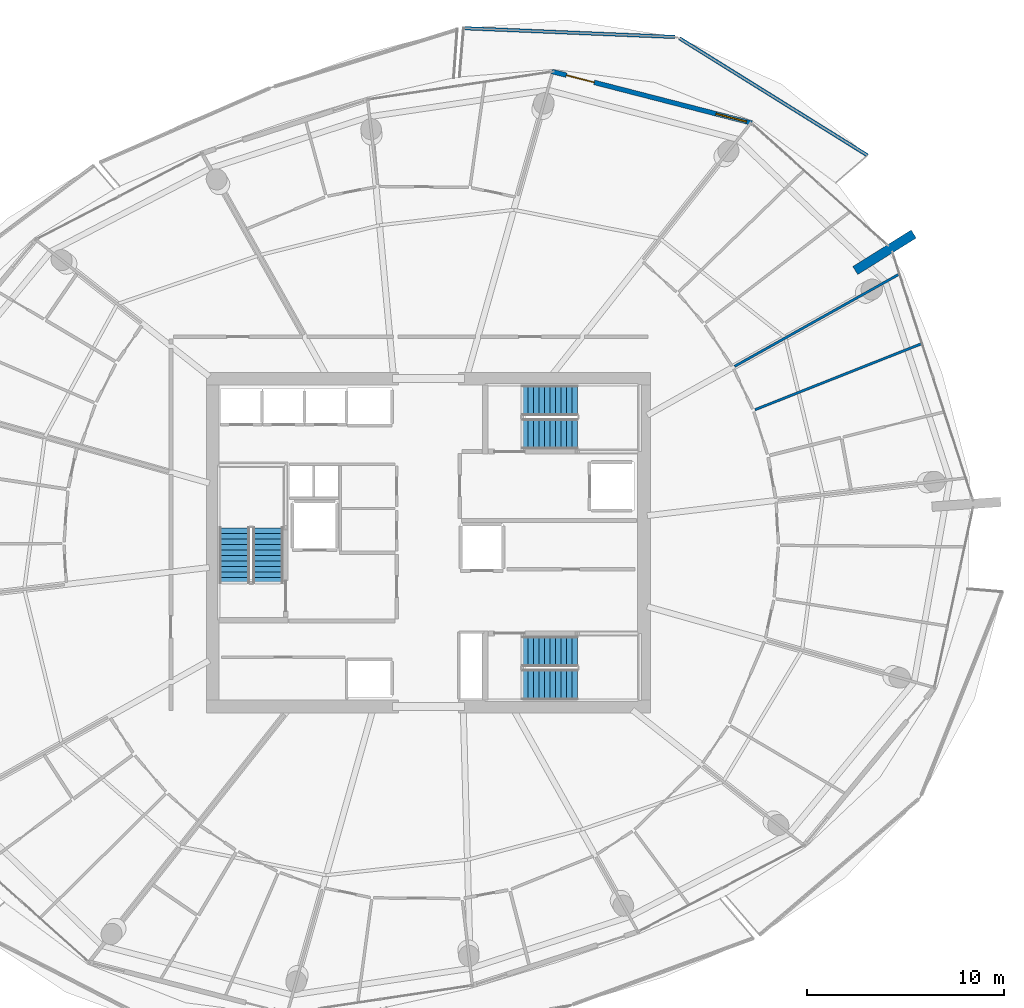
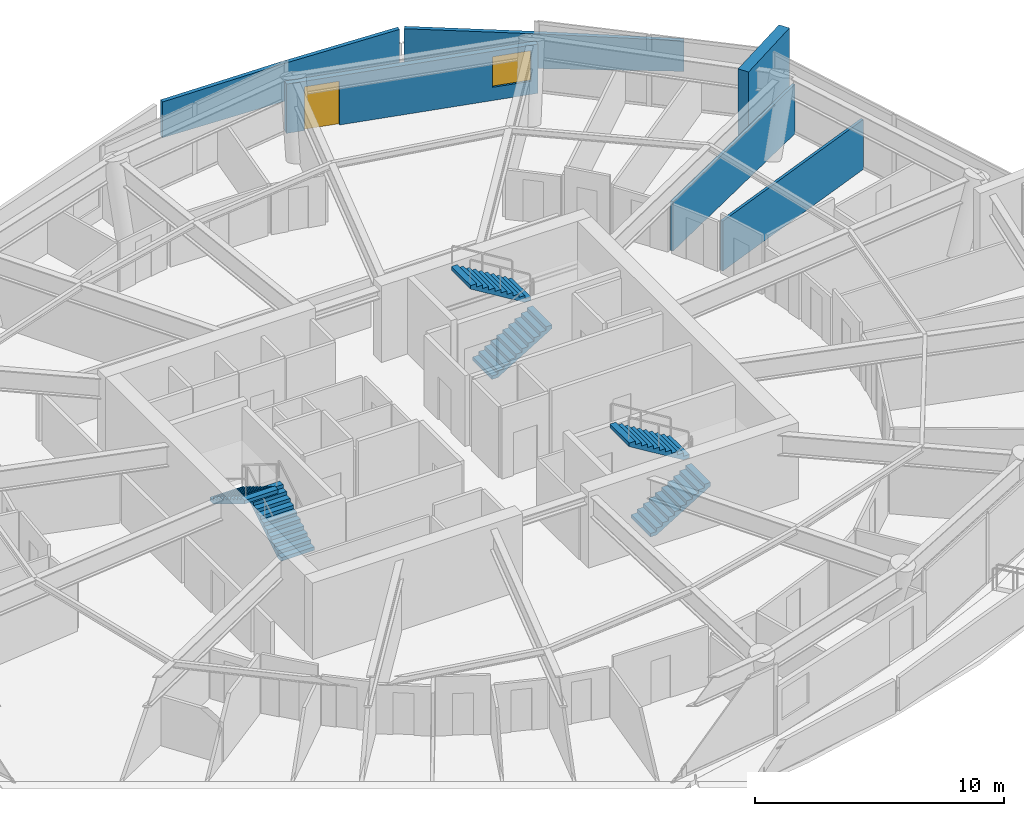
# One storey, part 15 of 20: 6 stair flights, 6 walls, 1 door, 1 window, 2 openings, 3 elements without a shape of their own.
"""IFC4 building model written with IfcOpenShell, lengths in metres."""

from ifc_helpers import new_model, si_unit, direction, frame, frame_2d, origin, place, context, subcontext, project, spatial, polyline, rectangle, outline, extrude, material, layer, layer_set, type_object, element, fill, aggregate, save


model = new_model("IFC4")

# Units and contexts
model_context = context("Model", 3, precision=1e-05, world=origin(), true_north=direction((0.0, 1.0)))
body_context = subcontext(model_context, "Body", "Model", "MODEL_VIEW")
ifc_project = project(units=[si_unit("LENGTHUNIT", "METRE"), si_unit("AREAUNIT", "SQUARE_METRE"), si_unit("VOLUMEUNIT", "CUBIC_METRE"), si_unit("PLANEANGLEUNIT", "RADIAN"), si_unit("MASSUNIT", "GRAM", prefix="KILO")], contexts=[model_context])

# Site, building, storey
site_placement = place(None, origin())
site = spatial("IfcSite", under=ifc_project, at=site_placement, CompositionType="ELEMENT")
building_placement = place(site_placement, origin())
building = spatial("IfcBuilding", under=site, at=building_placement, Name="Kazma Halo Residences", CompositionType="ELEMENT")
storey_placement = place(building_placement, frame((0.0, 0.0, 221.550048828125)))
storey = spatial("IfcBuildingStorey", under=building, at=storey_placement, Name="L56", CompositionType="ELEMENT", Elevation=221.550048828125)

# Walls
ifc_material_1 = material(Name="White Concrete C50/60 Balustrade", Category="concrete")
ifc_layer_1 = layer(ifc_material_1, 0.179931640625)
ifc_layer_set_1 = layer_set([ifc_layer_1], Name="White Concrete C50/60 Balustrade")
wall_type_1 = type_object("IfcWallType", Name="WL-BAL-WAVE-180", PredefinedType="PARAPET", material=ifc_layer_set_1)
wall_1_placement = place(storey_placement, frame((70.740234375, 61.66357421875, 0.0), z_axis=(0.0, 0.0, 1.0), x_axis=(-0.84875531388, 0.528785795158, 0.0)))
element("IfcWall", 1, at=wall_1_placement, inside=storey, type_object=wall_type_1, Name="L56 white wave balustrade wall NE.1", PredefinedType="PARAPET", context=body_context, shape_type="SweptSolid", body=[
    extrude(outline(polyline([(0.0, 0.0), (11.2568359375, 0.0), (11.256591796875, 1.83203125), (5.62841796875, 1.696044921875), (0.0, 1.4970703125), (0.0, 0.0)])), frame((0.0, 0.08984375, 0.0), z_axis=(0.0, -1.0, 0.0), x_axis=(1.0, 0.0, 0.0)), (0.0, 0.0, 1.0), 0.179931640625),
])
wall_2_placement = place(storey_placement, frame((60.96435546875, 67.684326171875, 0.0), z_axis=(0.0, 0.0, 1.0), x_axis=(-0.999138885182, 0.041490819675, 0.0)))
element("IfcWall", 2, at=wall_2_placement, inside=storey, type_object=wall_type_1, Name="L56 white wave balustrade wall NE.2", PredefinedType="PARAPET", context=body_context, shape_type="SweptSolid", body=[
    extrude(outline(polyline([(0.0, 0.0), (10.75634765625, 0.0), (10.756591796875, 1.755859375), (5.37841796875, 1.85302734375), (0.0, 1.83203125), (0.0, 0.0)])), frame((0.0, 0.08984375, 0.0), z_axis=(0.0, -1.0, 0.0), x_axis=(1.0, 0.0, 0.0)), (0.0, 0.0, 1.0), 0.179931640625),
])
ifc_material_2 = material(Name="Pale Concrete C60/75", Category="concrete")
ifc_layer_2 = layer(ifc_material_2, 0.47998046875)
ifc_layer_set_2 = layer_set([ifc_layer_2], Name="Pale Concrete C60/75")
wall_type_2 = type_object("IfcWallType", Name="WL-BLADE-480", PredefinedType="SOLIDWALL", material=ifc_layer_set_2)
wall_3_placement = place(storey_placement, frame((70.11376953125, 55.818115234375, 0.0), z_axis=(0.0, 0.0, 1.0), x_axis=(0.848033572426, 0.529942506352, 0.0)))
element("IfcWall", 3, at=wall_3_placement, inside=storey, type_object=wall_type_2, Name="L56 pale concrete structural blade fin wall BW-01", PredefinedType="SOLIDWALL", context=body_context, shape_type="SweptSolid", body=[
    extrude(rectangle(XDim=3.5, YDim=0.47998046875, at=frame_2d((1.75, 0.0))), origin(), (0.0, 0.0, 1.0), 3.75),
])

# Wall, openings, door, window
ifc_material_3 = material(Name="Insulated Pale-Metal Composite Wall")
ifc_layer_3 = layer(ifc_material_3, 0.239990234375)
ifc_layer_set_3 = layer_set([ifc_layer_3], Name="Insulated Pale-Metal Composite Wall")
wall_type_3 = type_object("IfcWallType", Name="WL-EXT-HOST-240", PredefinedType="SOLIDWALL", material=ifc_layer_set_3)
wall_4_placement = place(storey_placement, frame((64.860107421875, 63.31298828125, 0.0), z_axis=(0.0, 0.0, 1.0), x_axis=(-0.968374028006, 0.249502989727, 0.0)))
wall_4 = element("IfcWall", 4, at=wall_4_placement, inside=storey, type_object=wall_type_3, Name="L56 exterior terrace-access wall B02", PredefinedType="SOLIDWALL", context=body_context, shape_type="SweptSolid", body=[
    extrude(rectangle(XDim=10.494384765625, YDim=0.239990234375, at=frame_2d((5.2470703125, 0.0))), origin(), (0.0, 0.0, 1.0), 2.419921875),
])
opening_1_placement = place(wall_4_placement, frame((8.2744140625, 0.0, 0.0)))
opening_1 = element("IfcOpeningElement", 5, at=opening_1_placement, cuts=wall_4, Name="Opening DTR-1600", PredefinedType="OPENING", context=body_context, shape_type="SweptSolid", body=[
    extrude(rectangle(XDim=1.449951171875, YDim=2.14990234375, at=frame_2d((0.72509765625, 1.074951171875))), frame((0.0, 0.1298828125, 0.0), z_axis=(0.0, -1.0, 0.0), x_axis=(1.0, 0.0, 0.0)), (0.0, 0.0, 1.0), 0.260009765625),
])
opening_2_placement = place(wall_4_placement, frame((0.280029296875, 0.0, 0.64990234375)))
opening_2 = element("IfcOpeningElement", 6, at=opening_2_placement, cuts=wall_4, Name="Opening W-1800", PredefinedType="OPENING", context=body_context, shape_type="SweptSolid", body=[
    extrude(rectangle(XDim=1.60009765625, YDim=1.5, at=frame_2d((0.800048828125, 0.75))), frame((0.0, 0.1298828125, 0.0), z_axis=(0.0, -1.0, 0.0), x_axis=(1.0, 0.0, 0.0)), (0.0, 0.0, 1.0), 0.260009765625),
])
ifc_material_4 = material(Name="Aluminium AW-6063 T6 Double-Glazed Terrace Door", Category="aluminium")
door_type = type_object("IfcDoorType", Name="DR-EXT-TERR-1600", OperationType="NOTDEFINED", PredefinedType="DOOR", material=ifc_material_4)
door_placement = place(opening_1_placement, origin())
door = element("IfcDoor", 7, at=door_placement, inside=storey, type_object=door_type, Name="L56 B02 balcony terrace door", OperationType="DOUBLE_DOOR_SLIDING", OverallHeight=2.14990234375, OverallWidth=1.449951171875, PredefinedType="DOOR", context=body_context, shape_type="SweptSolid", body=[
    extrude(rectangle(XDim=1.449951171875, YDim=2.14990234375, at=frame_2d((0.72509765625, 1.074951171875))), frame((0.0, 0.02490234375, 0.0), z_axis=(0.0, -1.0, 0.0), x_axis=(1.0, 0.0, 0.0)), (0.0, 0.0, 1.0), 0.050048828125),
])
fill(opening_1, door)
ifc_material_5 = material(Name="Clear Triple-Silver Low-E Glass in Aluminium AW-6063 T6 Frame", Category="aluminium")
window_type = type_object("IfcWindowType", Name="WIN-RES-1800", PartitioningType="DOUBLE_PANEL_VERTICAL", PredefinedType="WINDOW", material=ifc_material_5)
window_placement = place(opening_2_placement, origin())
window = element("IfcWindow", 8, at=window_placement, inside=storey, type_object=window_type, Name="L56 B02 apartment window", OverallHeight=1.5, OverallWidth=1.60009765625, PartitioningType="SINGLE_PANEL", PredefinedType="WINDOW", context=body_context, shape_type="SweptSolid", body=[
    extrude(rectangle(XDim=1.60009765625, YDim=1.5, at=frame_2d((0.800048828125, 0.75))), frame((0.0, 0.030029296875, 0.0), z_axis=(0.0, -1.0, 0.0), x_axis=(1.0, 0.0, 0.0)), (0.0, 0.0, 1.0), 0.06005859375),
])
fill(opening_2, window)

# Walls
ifc_material_6 = material(Name="Gypsum Plasterboard Partition")
ifc_layer_4 = layer(ifc_material_6, 0.125)
ifc_layer_set_4 = layer_set([ifc_layer_4], Name="Gypsum Plasterboard Partition")
wall_type_4 = type_object("IfcWallType", Name="WL-PART-125", PredefinedType="PARTITIONING", material=ifc_layer_set_4)
wall_5_placement = place(storey_placement, frame((65.018798828125, 48.74609375, 0.0), z_axis=(0.0, 0.0, 1.0), x_axis=(0.929640612561, 0.368467544672, 0.0)))
element("IfcWall", 9, at=wall_5_placement, inside=storey, type_object=wall_type_4, Name="L56 Apartment 3 suite divider 15", PredefinedType="PARTITIONING", context=body_context, shape_type="SweptSolid", body=[
    extrude(rectangle(XDim=9.1064453125, YDim=0.125, at=frame_2d((4.55322265625, 0.0))), origin(), (0.0, 0.0, 1.0), 2.445068359375),
])
wall_6_placement = place(storey_placement, frame((63.9814453125, 50.9501953125, 0.0), z_axis=(0.0, 0.0, 1.0), x_axis=(0.872503842663, 0.488607249781, 0.0)))
element("IfcWall", 10, at=wall_6_placement, inside=storey, type_object=wall_type_4, Name="L56 Apartment 3 radial partition 0", PredefinedType="PARTITIONING", context=body_context, shape_type="SweptSolid", body=[
    extrude(rectangle(XDim=9.578125, YDim=0.125, at=frame_2d((4.7890625, 0.0))), origin(), (0.0, 0.0, 1.0), 2.427001953125),
])

# Stair, stair flights
ifc_material_7 = material(Name="Concrete C50/60", Category="concrete")
stair_type = type_object("IfcStairType", Name="STR-RES1", PredefinedType="HALF_TURN_STAIR", material=ifc_material_7)
stair_1_placement = place(storey_placement, origin())
stair_1 = element("IfcStair", 11, at=stair_1_placement, inside=storey, type_object=stair_type, Name="L56 Core exit stair ST-01", PredefinedType="HALF_TURN_STAIR")
stair_flight_type = type_object("IfcStairFlightType", Name="STR-RES1-FLT", PredefinedType="STRAIGHT", material=ifc_material_7)
stair_flight_1_placement = place(storey_placement, frame((40.27490234375, 39.949951171875, 0.0), z_axis=(0.0, 0.0, 1.0), x_axis=(0.0, 1.0, 0.0)))
stair_flight_1 = element("IfcStairFlight", 12, at=stair_flight_1_placement, type_object=stair_flight_type, Name="ST-01 flight 1", NumberOfRisers=11, NumberOfTreads=10, PredefinedType="STRAIGHT", RiserHeight=0.170454545, TreadLength=0.28, context=body_context, shape_type="SweptSolid", body=[
    extrude(outline(polyline([(0.0, 0.0), (0.0, 0.17041015625), (0.280029296875, 0.17041015625), (0.280029296875, 0.3408203125), (0.56005859375, 0.3408203125), (0.56005859375, 0.511474609375), (0.840087890625, 0.511474609375), (0.840087890625, 0.681884765625), (1.1201171875, 0.681884765625), (1.1201171875, 0.852294921875), (1.39990234375, 0.852294921875), (1.39990234375, 1.022705078125), (1.679931640625, 1.022705078125), (1.679931640625, 1.193115234375), (1.9599609375, 1.193115234375), (1.9599609375, 1.363525390625), (2.239990234375, 1.363525390625), (2.239990234375, 1.5341796875), (2.52001953125, 1.5341796875), (2.52001953125, 1.70458984375), (2.800048828125, 1.70458984375), (2.800048828125, 1.875), (2.800048828125, 1.529052734375), (0.288330078125, 0.0), (0.0, 0.0)])), frame((0.0, 0.77490234375, 0.0), z_axis=(0.0, -1.0, 0.0), x_axis=(1.0, 0.0, 0.0)), (0.0, 0.0, 1.0), 1.550048828125),
])
stair_flight_2_placement = place(storey_placement, frame((38.574951171875, 42.75, 1.875), z_axis=(0.0, 0.0, 1.0), x_axis=(0.0, -1.0, 0.0)))
stair_flight_2 = element("IfcStairFlight", 13, at=stair_flight_2_placement, type_object=stair_flight_type, Name="ST-01 flight 2", NumberOfRisers=11, NumberOfTreads=10, PredefinedType="STRAIGHT", RiserHeight=0.170454545, TreadLength=0.28, context=body_context, shape_type="SweptSolid", body=[
    extrude(outline(polyline([(0.0, 0.0), (0.0, 0.17041015625), (0.280029296875, 0.17041015625), (0.280029296875, 0.3408203125), (0.56005859375, 0.3408203125), (0.56005859375, 0.511474609375), (0.840087890625, 0.511474609375), (0.840087890625, 0.681884765625), (1.1201171875, 0.681884765625), (1.1201171875, 0.852294921875), (1.39990234375, 0.852294921875), (1.39990234375, 1.022705078125), (1.679931640625, 1.022705078125), (1.679931640625, 1.193115234375), (1.9599609375, 1.193115234375), (1.9599609375, 1.363525390625), (2.239990234375, 1.363525390625), (2.239990234375, 1.5341796875), (2.52001953125, 1.5341796875), (2.52001953125, 1.70458984375), (2.800048828125, 1.70458984375), (2.800048828125, 1.875), (2.800048828125, 1.529052734375), (0.288330078125, 0.0), (0.0, 0.0)])), frame((0.0, 0.77490234375, 0.0), z_axis=(0.0, -1.0, 0.0), x_axis=(1.0, 0.0, 0.0)), (0.0, 0.0, 1.0), 1.550048828125),
])
aggregate(stair_1, [stair_flight_1, stair_flight_2])

stair_2_placement = place(storey_placement, origin())
stair_2 = element("IfcStair", 14, at=stair_2_placement, inside=storey, type_object=stair_type, Name="L56 Core exit stair ST-02", PredefinedType="HALF_TURN_STAIR")
stair_flight_3_placement = place(storey_placement, frame((53.199951171875, 47.52490234375, 0.0), z_axis=(0.0, 0.0, 1.0), x_axis=(1.0, 0.0, 0.0)))
stair_flight_3 = element("IfcStairFlight", 15, at=stair_flight_3_placement, type_object=stair_flight_type, Name="ST-02 flight 1", NumberOfRisers=11, NumberOfTreads=10, PredefinedType="STRAIGHT", RiserHeight=0.170454545, TreadLength=0.28, context=body_context, shape_type="SweptSolid", body=[
    extrude(outline(polyline([(0.0, 0.0), (0.0, 0.17041015625), (0.280029296875, 0.17041015625), (0.280029296875, 0.3408203125), (0.56005859375, 0.3408203125), (0.56005859375, 0.511474609375), (0.840087890625, 0.511474609375), (0.840087890625, 0.681884765625), (1.1201171875, 0.681884765625), (1.1201171875, 0.852294921875), (1.39990234375, 0.852294921875), (1.39990234375, 1.022705078125), (1.679931640625, 1.022705078125), (1.679931640625, 1.193115234375), (1.9599609375, 1.193115234375), (1.9599609375, 1.363525390625), (2.239990234375, 1.363525390625), (2.239990234375, 1.5341796875), (2.52001953125, 1.5341796875), (2.52001953125, 1.70458984375), (2.800048828125, 1.70458984375), (2.800048828125, 1.875), (2.800048828125, 1.529052734375), (0.288330078125, 0.0), (0.0, 0.0)])), frame((0.0, 0.77490234375, 0.0), z_axis=(0.0, -1.0, 0.0), x_axis=(1.0, 0.0, 0.0)), (0.0, 0.0, 1.0), 1.550048828125),
])
stair_flight_4_placement = place(storey_placement, frame((56.0, 49.22509765625, 1.875), z_axis=(0.0, 0.0, 1.0), x_axis=(-1.0, 0.0, 0.0)))
stair_flight_4 = element("IfcStairFlight", 16, at=stair_flight_4_placement, type_object=stair_flight_type, Name="ST-02 flight 2", NumberOfRisers=11, NumberOfTreads=10, PredefinedType="STRAIGHT", RiserHeight=0.170454545, TreadLength=0.28, context=body_context, shape_type="SweptSolid", body=[
    extrude(outline(polyline([(0.0, 0.0), (0.0, 0.17041015625), (0.280029296875, 0.17041015625), (0.280029296875, 0.3408203125), (0.56005859375, 0.3408203125), (0.56005859375, 0.511474609375), (0.840087890625, 0.511474609375), (0.840087890625, 0.681884765625), (1.1201171875, 0.681884765625), (1.1201171875, 0.852294921875), (1.39990234375, 0.852294921875), (1.39990234375, 1.022705078125), (1.679931640625, 1.022705078125), (1.679931640625, 1.193115234375), (1.9599609375, 1.193115234375), (1.9599609375, 1.363525390625), (2.239990234375, 1.363525390625), (2.239990234375, 1.5341796875), (2.52001953125, 1.5341796875), (2.52001953125, 1.70458984375), (2.800048828125, 1.70458984375), (2.800048828125, 1.875), (2.800048828125, 1.529052734375), (0.288330078125, 0.0), (0.0, 0.0)])), frame((0.0, 0.77490234375, 0.0), z_axis=(0.0, -1.0, 0.0), x_axis=(1.0, 0.0, 0.0)), (0.0, 0.0, 1.0), 1.550048828125),
])
aggregate(stair_2, [stair_flight_3, stair_flight_4])

stair_3_placement = place(storey_placement, origin())
stair_3 = element("IfcStair", 17, at=stair_3_placement, inside=storey, type_object=stair_type, Name="L56 Core exit stair ST-03", PredefinedType="HALF_TURN_STAIR")
stair_flight_5_placement = place(storey_placement, frame((53.199951171875, 34.77490234375, 0.0), z_axis=(0.0, 0.0, 1.0), x_axis=(1.0, 0.0, 0.0)))
stair_flight_5 = element("IfcStairFlight", 18, at=stair_flight_5_placement, type_object=stair_flight_type, Name="ST-03 flight 1", NumberOfRisers=11, NumberOfTreads=10, PredefinedType="STRAIGHT", RiserHeight=0.170454545, TreadLength=0.28, context=body_context, shape_type="SweptSolid", body=[
    extrude(outline(polyline([(0.0, 0.0), (0.0, 0.17041015625), (0.280029296875, 0.17041015625), (0.280029296875, 0.3408203125), (0.56005859375, 0.3408203125), (0.56005859375, 0.511474609375), (0.840087890625, 0.511474609375), (0.840087890625, 0.681884765625), (1.1201171875, 0.681884765625), (1.1201171875, 0.852294921875), (1.39990234375, 0.852294921875), (1.39990234375, 1.022705078125), (1.679931640625, 1.022705078125), (1.679931640625, 1.193115234375), (1.9599609375, 1.193115234375), (1.9599609375, 1.363525390625), (2.239990234375, 1.363525390625), (2.239990234375, 1.5341796875), (2.52001953125, 1.5341796875), (2.52001953125, 1.70458984375), (2.800048828125, 1.70458984375), (2.800048828125, 1.875), (2.800048828125, 1.529052734375), (0.288330078125, 0.0), (0.0, 0.0)])), frame((0.0, 0.77490234375, 0.0), z_axis=(0.0, -1.0, 0.0), x_axis=(1.0, 0.0, 0.0)), (0.0, 0.0, 1.0), 1.550048828125),
])
stair_flight_6_placement = place(storey_placement, frame((56.0, 36.47509765625, 1.875), z_axis=(0.0, 0.0, 1.0), x_axis=(-1.0, 0.0, 0.0)))
stair_flight_6 = element("IfcStairFlight", 19, at=stair_flight_6_placement, type_object=stair_flight_type, Name="ST-03 flight 2", NumberOfRisers=11, NumberOfTreads=10, PredefinedType="STRAIGHT", RiserHeight=0.170454545, TreadLength=0.28, context=body_context, shape_type="SweptSolid", body=[
    extrude(outline(polyline([(0.0, 0.0), (0.0, 0.17041015625), (0.280029296875, 0.17041015625), (0.280029296875, 0.3408203125), (0.56005859375, 0.3408203125), (0.56005859375, 0.511474609375), (0.840087890625, 0.511474609375), (0.840087890625, 0.681884765625), (1.1201171875, 0.681884765625), (1.1201171875, 0.852294921875), (1.39990234375, 0.852294921875), (1.39990234375, 1.022705078125), (1.679931640625, 1.022705078125), (1.679931640625, 1.193115234375), (1.9599609375, 1.193115234375), (1.9599609375, 1.363525390625), (2.239990234375, 1.363525390625), (2.239990234375, 1.5341796875), (2.52001953125, 1.5341796875), (2.52001953125, 1.70458984375), (2.800048828125, 1.70458984375), (2.800048828125, 1.875), (2.800048828125, 1.529052734375), (0.288330078125, 0.0), (0.0, 0.0)])), frame((0.0, 0.77490234375, 0.0), z_axis=(0.0, -1.0, 0.0), x_axis=(1.0, 0.0, 0.0)), (0.0, 0.0, 1.0), 1.550048828125),
])
aggregate(stair_3, [stair_flight_5, stair_flight_6])

save(model, "model.ifc")
